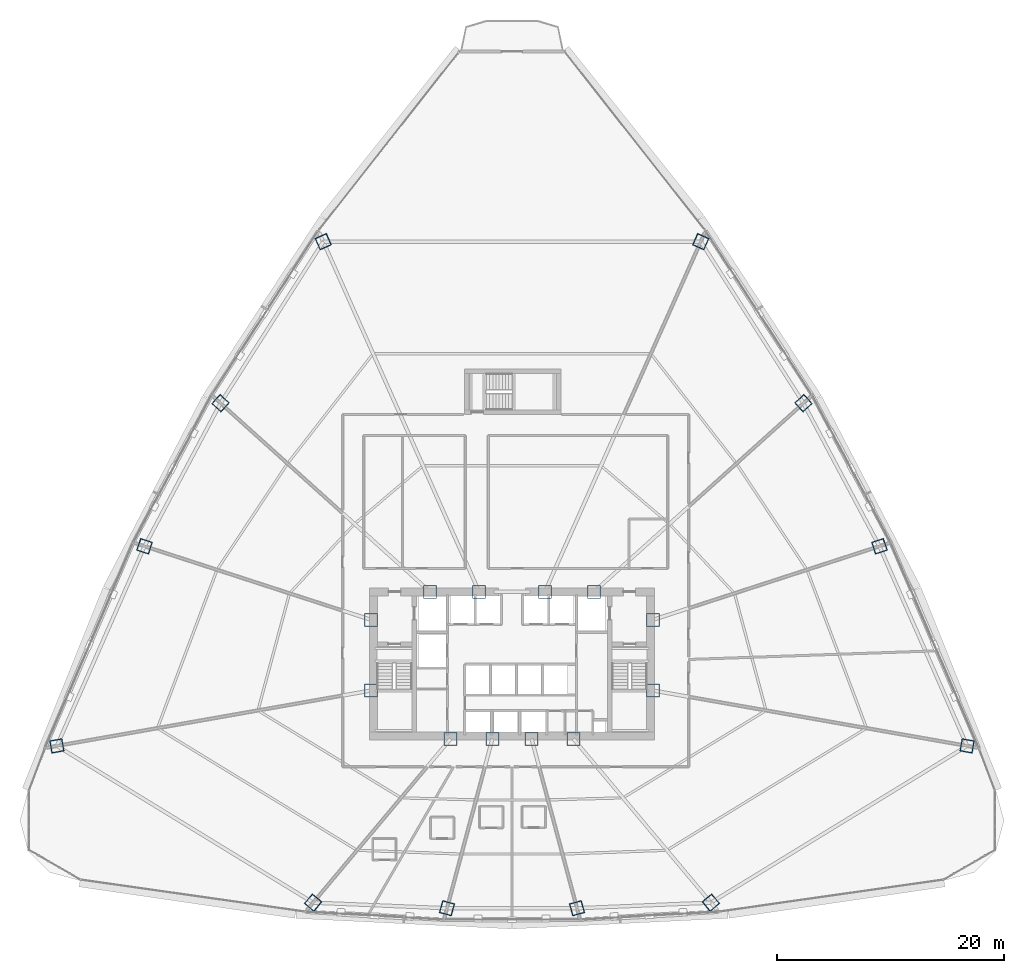
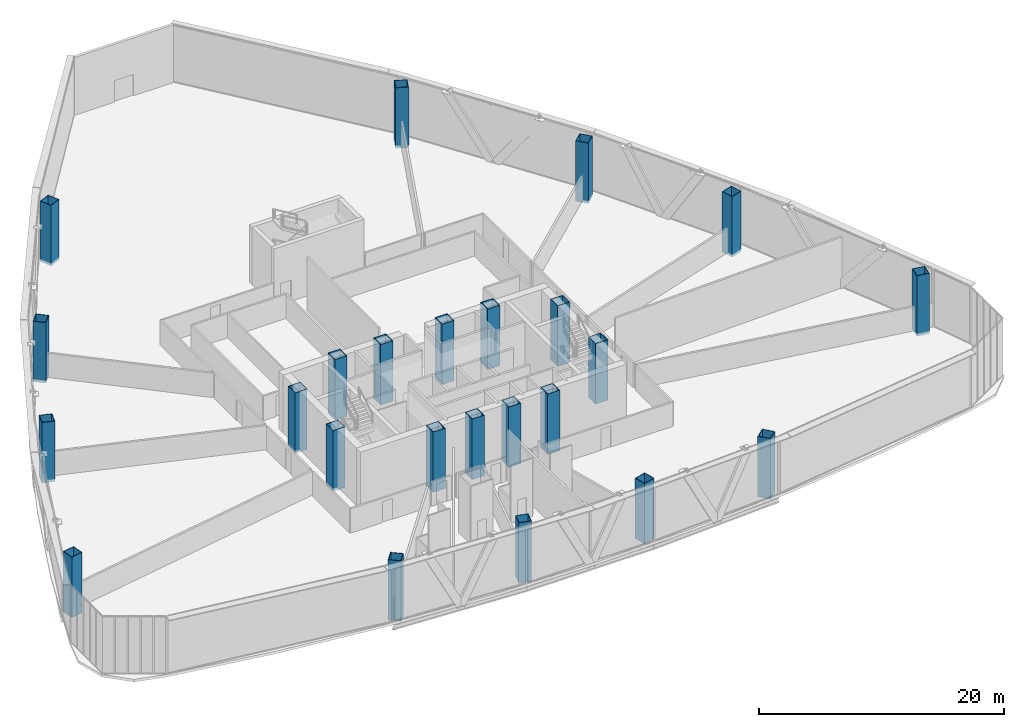
# One storey, part 1 of 41: 24 columns.
"""IFC4 building model written with IfcOpenShell, lengths in metres."""

import ifcopenshell
import ifcopenshell.guid

model = None  # the IFC model being written
_history = None  # IfcOwnerHistory: only IFC2X3 demands one
_inside = {}  # id of a spatial element -> (the spatial element, [elements in it])
_under = {}  # id of a project, library or spatial element -> (it, [spatial elements below it])
_declared = {}  # id of a project -> (the project, [libraries it declares])
_typed = {}  # id of a type object -> (the type object, [elements of that type])
_made_of = {}  # id of a material, layer set ... -> (it, [elements and type objects made of it])


def new_model(schema):
    """Start an empty IFC model of exactly this schema.

    Asked for "IFC4X3", IfcOpenShell would pick the latest addendum, in which some entities
    have other attributes; the version numbers below select the first issue.
    IFC2X3 requires an IfcOwnerHistory on every rooted entity: one is made here for all.
    """
    global model, _history
    if schema == "IFC4X3":
        model = ifcopenshell.file(schema_version=(4, 3, 0, 0))
    else:
        model = ifcopenshell.file(schema=schema)
    _inside.clear()
    _under.clear()
    _declared.clear()
    _typed.clear()
    _made_of.clear()
    _history = None
    if model.schema == "IFC2X3":
        org = make("IfcOrganization", Name="unknown")
        user = make(
            "IfcPersonAndOrganization",
            ThePerson=make("IfcPerson", FamilyName="unknown"),
            TheOrganization=org,
        )
        app = make(
            "IfcApplication",
            ApplicationDeveloper=org,
            Version="unknown",
            ApplicationFullName="unknown",
            ApplicationIdentifier="unknown",
        )
        _history = make(
            "IfcOwnerHistory",
            OwningUser=user,
            OwningApplication=app,
            ChangeAction="ADDED",
            CreationDate=0,
        )
    return model


def make(cls, **values):
    """One entity of the class cls with the attributes given. An attribute that is None is left unset."""
    return model.create_entity(
        cls, **{name: value for name, value in values.items() if value is not None}
    )


def rooted(cls, **values):
    """An entity with a GlobalId (a new one), such as an element, a storey or a relation."""
    return make(cls, GlobalId=ifcopenshell.guid.new(), OwnerHistory=_history, **values)


def si_unit(unit_type, name, prefix=None):
    """IfcSIUnit, for example si_unit("LENGTHUNIT", "METRE", prefix="MILLI")."""
    return make("IfcSIUnit", UnitType=unit_type, Prefix=prefix, Name=name)


def assignment(units):
    """IfcUnitAssignment: the units of a project."""
    return None if units is None else make("IfcUnitAssignment", Units=units)


def point(xyz):
    """IfcCartesianPoint."""
    return None if xyz is None else make("IfcCartesianPoint", Coordinates=xyz)


def direction(xyz):
    """IfcDirection."""
    return None if xyz is None else make("IfcDirection", DirectionRatios=xyz)


def frame(location, z_axis=None, x_axis=None):
    """IfcAxis2Placement3D, a coordinate frame: its origin and axes. An axis left out is left unset."""
    return make(
        "IfcAxis2Placement3D",
        Location=point(location),
        Axis=direction(z_axis),
        RefDirection=direction(x_axis),
    )


def frame_2d(location, x_axis=None):
    """IfcAxis2Placement2D, a coordinate frame in the plane: its origin and x axis."""
    return make(
        "IfcAxis2Placement2D", Location=point(location), RefDirection=direction(x_axis)
    )


def origin():
    """The frame at (0, 0, 0) with its axes left unset."""
    return frame((0.0, 0.0, 0.0))


def origin_2d():
    """The frame at (0, 0) in the plane with its x axis left unset."""
    return frame_2d((0.0, 0.0))


def place(relative_to, where):
    """IfcLocalPlacement: puts the frame where relative to a parent placement (None: the world)."""
    return make(
        "IfcLocalPlacement", PlacementRelTo=relative_to, RelativePlacement=where
    )


def context(
    kind, dimensions, precision=None, world=None, true_north=None, identifier=None
):
    """IfcGeometricRepresentationContext, for example the 3D "Model" context."""
    return make(
        "IfcGeometricRepresentationContext",
        ContextIdentifier=identifier,
        ContextType=kind,
        CoordinateSpaceDimension=dimensions,
        Precision=precision,
        WorldCoordinateSystem=world,
        TrueNorth=true_north,
    )


def subcontext(parent, identifier, kind, view, scale=None):
    """IfcGeometricRepresentationSubContext, for example "Body" below "Model"."""
    return make(
        "IfcGeometricRepresentationSubContext",
        ContextIdentifier=identifier,
        ContextType=kind,
        ParentContext=parent,
        TargetScale=scale,
        TargetView=view,
    )


def project(units=None, contexts=None):
    """IfcProject with its units and contexts."""
    return rooted(
        "IfcProject",
        Name="project",
        RepresentationContexts=contexts,
        UnitsInContext=assignment(units),
    )


def spatial(cls, under=None, at=None, **own):
    """A site, building, storey or space (cls), placed at a placement, below another one or the project."""
    s = rooted(cls, ObjectPlacement=at, **own)
    if under is not None:
        _under.setdefault(under.id(), (under, []))[1].append(s)
    return s


def profile(cls, at=None, kind="AREA", **sizes):
    """A parametric profile (cls). Its sizes go by their IFC names, for example OverallWidth=200.0."""
    return make(cls, ProfileType=kind, Position=at, **sizes)


def hollow_rectangle(**sizes):
    """IfcRectangleHollowProfileDef."""
    return profile("IfcRectangleHollowProfileDef", **sizes)


def extrude(swept, where, along, depth):
    """IfcExtrudedAreaSolid: the profile swept, set in the frame where, extruded along a direction by depth."""
    return make(
        "IfcExtrudedAreaSolid",
        SweptArea=swept,
        Position=where,
        ExtrudedDirection=direction(along),
        Depth=depth,
    )


def shape(context_of_items, identifier, shape_type, items):
    """IfcShapeRepresentation: the items that make up one representation, for example the "Body"."""
    return make(
        "IfcShapeRepresentation",
        ContextOfItems=context_of_items,
        RepresentationIdentifier=identifier,
        RepresentationType=shape_type,
        Items=items,
    )


def source(mapping_origin, context_of_items, identifier, shape_type, items):
    """IfcRepresentationMap: a shape defined once, which mapped items show again and again."""
    return make(
        "IfcRepresentationMap",
        MappingOrigin=mapping_origin,
        MappedRepresentation=shape(context_of_items, identifier, shape_type, items),
    )


def transform(
    local_origin,
    x_axis=None,
    y_axis=None,
    z_axis=None,
    scale=None,
    scale2=None,
    scale3=None,
    uniform=True,
):
    """IfcCartesianTransformationOperator3D, or its non-uniform kind. x_axis, y_axis, z_axis: its Axis1, 2, 3."""
    if uniform:
        return make(
            "IfcCartesianTransformationOperator3D",
            Axis1=direction(x_axis),
            Axis2=direction(y_axis),
            LocalOrigin=point(local_origin),
            Scale=scale,
            Axis3=direction(z_axis),
        )
    return make(
        "IfcCartesianTransformationOperator3DnonUniform",
        Axis1=direction(x_axis),
        Axis2=direction(y_axis),
        LocalOrigin=point(local_origin),
        Scale=scale,
        Axis3=direction(z_axis),
        Scale2=scale2,
        Scale3=scale3,
    )


def mapped(mapping_source, mapping_target):
    """IfcMappedItem: shows the shape of a source again, moved by a transform."""
    return make(
        "IfcMappedItem", MappingSource=mapping_source, MappingTarget=mapping_target
    )


def material(Name=None, Category=None):
    """IfcMaterial."""
    return make("IfcMaterial", Name=Name, Category=Category)


def material_profile(
    of_material, cross_section, Name=None, Category=None, Priority=None
):
    """IfcMaterialProfile: a cross section and its material."""
    return make(
        "IfcMaterialProfile",
        Name=Name,
        Material=of_material,
        Profile=cross_section,
        Priority=Priority,
        Category=Category,
    )


def profile_set(profiles, Name=None, composite=None):
    """IfcMaterialProfileSet."""
    return make(
        "IfcMaterialProfileSet",
        Name=Name,
        MaterialProfiles=profiles,
        CompositeProfile=composite,
    )


def made_of(thing, what):
    """Note that an element or type object is made of a material, layer set ...; save() writes the relation."""
    if what is not None:
        _made_of.setdefault(what.id(), (what, []))[1].append(thing)
    return thing


def type_object(cls, material=None, **own):
    """A type object (cls), such as IfcWallType, which elements share."""
    return made_of(rooted(cls, **own), material)


def element(
    cls,
    number,
    at=None,
    inside=None,
    cuts=None,
    type_object=None,
    material=None,
    context=None,
    identifier="Body",
    shape_type=None,
    held_by="IfcProductDefinitionShape",
    body=None,
    shapes=None,
    **own,
):
    """One element of the class cls, such as IfcWall. Its Tag is "e" and its number.

    at: its placement. inside: the storey or other place that contains it. cuts: it is an
    opening in that element (IfcRelVoidsElement). A single representation is given by context,
    identifier, shape_type and body (its items); several are given by shapes. held_by: the class
    of the entity that holds the representations. save() writes the other relations.
    """
    e = rooted(cls, Tag="e%d" % number, ObjectPlacement=at, **own)
    if body is not None:
        shapes = [shape(context, identifier, shape_type, body)]
    if shapes is not None:
        e.Representation = make(held_by, Representations=shapes)
    if inside is not None:
        _inside.setdefault(inside.id(), (inside, []))[1].append(e)
    if cuts is not None:
        rooted(
            "IfcRelVoidsElement", RelatingBuildingElement=cuts, RelatedOpeningElement=e
        )
    if type_object is not None:
        _typed.setdefault(type_object.id(), (type_object, []))[1].append(e)
    return made_of(e, material)


def aggregate(whole, parts):
    """IfcRelAggregates: a whole, such as a stair, and the parts it consists of."""
    return rooted("IfcRelAggregates", RelatingObject=whole, RelatedObjects=parts)


def save(model, path):
    """Write the relations noted so far, then the file.

    IfcRelAggregates (storeys below a building ...), IfcRelContainedInSpatialStructure (elements
    in a storey), IfcRelDefinesByType, IfcRelAssociatesMaterial and IfcRelDeclares: one each for
    every whole, place, type object, material and project.
    """
    for whole, parts in _under.values():
        aggregate(whole, parts)
    for where, things in _inside.values():
        rooted(
            "IfcRelContainedInSpatialStructure",
            RelatedElements=things,
            RelatingStructure=where,
        )
    for kind, things in _typed.values():
        rooted("IfcRelDefinesByType", RelatedObjects=things, RelatingType=kind)
    for what, things in _made_of.values():
        rooted("IfcRelAssociatesMaterial", RelatedObjects=things, RelatingMaterial=what)
    for by, libraries in _declared.values():
        rooted("IfcRelDeclares", RelatingContext=by, RelatedDefinitions=libraries)
    model.write(path)


model = new_model("IFC4")

# Units and contexts
model_context = context("Model", 3, precision=1e-05, world=origin(), true_north=direction((0.0, 1.0)))
body_context = subcontext(model_context, "Body", "Model", "MODEL_VIEW")
ifc_project = project(units=[si_unit("LENGTHUNIT", "METRE"), si_unit("AREAUNIT", "SQUARE_METRE"), si_unit("VOLUMEUNIT", "CUBIC_METRE"), si_unit("PLANEANGLEUNIT", "RADIAN"), si_unit("MASSUNIT", "GRAM", prefix="KILO"), si_unit("THERMODYNAMICTEMPERATUREUNIT", "KELVIN"), si_unit("POWERUNIT", "WATT")], contexts=[model_context])

# Site, building, storey
site_placement = place(None, origin())
site = spatial("IfcSite", under=ifc_project, at=site_placement, CompositionType="ELEMENT")
building_placement = place(site_placement, origin())
building = spatial("IfcBuilding", under=site, at=building_placement, Name="Yunzhuo Pagoda Commons", CompositionType="ELEMENT")
storey_placement = place(building_placement, frame((0.0, 0.0, 70.330078125)))
storey = spatial("IfcBuildingStorey", under=building, at=storey_placement, Name="L18", CompositionType="ELEMENT", Elevation=70.330078125)

# Columns
ifc_material = material(Name="Structural steel Q420B", Category="steel")
ifc_material_profile_1 = material_profile(ifc_material, hollow_rectangle(XDim=1.14990234375, YDim=1.14990234375, WallThickness=0.048095703125, at=origin_2d()), Name="Structural steel Q420B")
ifc_profile_set_1 = profile_set([ifc_material_profile_1], Name="Structural steel Q420B")
column_type_1 = type_object("IfcColumnType", Name="C-COR Column BOX 1150x1150x48", PredefinedType="COLUMN", material=ifc_profile_set_1)
shared_shape_1 = source(origin(), body_context, "Body", "SweptSolid", [
    extrude(hollow_rectangle(XDim=1.14990234375, YDim=1.14990234375, WallThickness=0.048095703125, at=origin_2d()), origin(), (0.0, 0.0, 1.0), 6.030029296875),
])
for number, where, z_axis, x_axis, name in (
    (1, (42.587890625, 27.25, -0.260009765625), (0.0, 0.0, 1.0), (1.0, 0.0, 0.0), "L18 core composite column F1C1"),
    (2, (46.27197265625, 27.25, -0.260009765625), (0.0, 0.0, 1.0), (1.0, 0.0, 0.0), "L18 core composite column F1C2"),
    (3, (49.728515625, 27.25, -0.260009765625), (0.0, 0.0, 1.0), (1.0, 0.0, 0.0), "L18 core composite column F1C3"),
    (4, (53.412109375, 27.25, -0.260009765625), (0.0, 0.0, 1.0), (1.0, 0.0, 0.0), "L18 core composite column F1C4"),
    (5, (60.39990234375, 31.513427734375, -0.260009765625), (0.0, 0.0, 1.0), (1.0, 0.0, 0.0), "L18 core composite column F2C1"),
    (6, (60.39990234375, 37.72900390625, -0.260009765625), (0.0, 0.0, 1.0), (1.0, 0.0, 0.0), "L18 core composite column F2C2"),
    (7, (55.218994140625, 40.199951171875, -0.260009765625), (0.0, 0.0, 1.0), (1.0, 0.0, 0.0), "L18 core composite column F2C3"),
    (8, (50.89404296875, 40.199951171875, -0.260009765625), (0.0, 0.0, 1.0), (1.0, 0.0, 0.0), "L18 core composite column F2C4"),
    (9, (45.10595703125, 40.199951171875, -0.260009765625), (0.0, 0.0, 1.0), (1.0, 0.0, 0.0), "L18 core composite column F3C1"),
    (10, (40.781005859375, 40.199951171875, -0.260009765625), (0.0, 0.0, 1.0), (1.0, 0.0, 0.0), "L18 core composite column F3C2"),
    (11, (35.60009765625, 37.72900390625, -0.260009765625), (0.0, 0.0, 1.0), (1.0, 0.0, 0.0), "L18 core composite column F3C3"),
    (12, (35.60009765625, 31.513427734375, -0.260009765625), (0.0, 0.0, 1.0), (1.0, 0.0, 0.0), "L18 core composite column F3C4"),
):
    element("IfcColumn", number, at=place(storey_placement, frame(where, z_axis=z_axis, x_axis=x_axis)), inside=storey, type_object=column_type_1, Name=name, PredefinedType="COLUMN", context=body_context, shape_type="MappedRepresentation", body=[
        mapped(shared_shape_1, transform((0.0, 0.0, 0.0), scale=1.0)),
    ])
ifc_material_profile_2 = material_profile(ifc_material, hollow_rectangle(XDim=1.10009765625, YDim=1.10009765625, WallThickness=0.044921875, at=origin_2d()), Name="Structural steel Q420B")
ifc_profile_set_2 = profile_set([ifc_material_profile_2], Name="Structural steel Q420B")
column_type_2 = type_object("IfcColumnType", Name="C-Z1 Column BOX 1100x1100x45", PredefinedType="COLUMN", material=ifc_profile_set_2)
shared_shape_2 = source(origin(), body_context, "Body", "SweptSolid", [
    extrude(hollow_rectangle(XDim=1.10009765625, YDim=1.10009765625, WallThickness=0.044921875, at=origin_2d()), origin(), (0.0, 0.0, 1.0), 6.030029296875),
])
for number, where, z_axis, x_axis, name in (
    (13, (30.5, 12.844482421875, -0.260009765625), (0.0, 0.0, 1.0), (0.766044443119, -0.642787609687, 0.0), "L18 tower column F1C1"),
    (14, (42.27978515625, 12.35205078125, -0.260009765625), (0.0, 0.0, 1.0), (0.965925826289, -0.258819045103, 0.0), "L18 tower column F1C2"),
    (15, (53.72021484375, 12.35205078125, -0.260009765625), (0.0, 0.0, 1.0), (0.965925826289, 0.258819045103, 0.0), "L18 tower column F1C3"),
    (16, (65.5, 12.844482421875, -0.260009765625), (0.0, 0.0, 1.0), (0.766044443119, 0.642787609687, 0.0), "L18 tower column F1C4"),
    (17, (88.047607421875, 26.638427734375, -0.260009765625), (0.0, 0.0, 1.0), (0.173648177667, 0.984807753012, 0.0), "L18 tower column F2C1"),
    (18, (80.33544921875, 44.206298828125, -0.260009765625), (0.0, 0.0, 1.0), (-0.309016994375, 0.951056516295, 0.0), "L18 tower column F2C2"),
    (19, (73.648681640625, 56.79443359375, -0.260009765625), (0.0, 0.0, 1.0), (-0.669130606359, 0.743144825477, 0.0), "L18 tower column F2C3"),
    (20, (64.61083984375, 71.008544921875, -0.260009765625), (0.0, 0.0, 1.0), (-0.913545457643, 0.406736643076, 0.0), "L18 tower column F2C4"),
    (21, (31.38916015625, 71.008544921875, -0.260009765625), (0.0, 0.0, 1.0), (-0.913545457643, -0.406736643076, 0.0), "L18 tower column F3C1"),
    (22, (22.351318359375, 56.79443359375, -0.260009765625), (0.0, 0.0, 1.0), (-0.669130606359, -0.743144825477, 0.0), "L18 tower column F3C2"),
    (23, (15.66455078125, 44.206298828125, -0.260009765625), (0.0, 0.0, 1.0), (-0.309016994375, -0.951056516295, 0.0), "L18 tower column F3C3"),
    (24, (7.952392578125, 26.638427734375, -0.260009765625), (0.0, 0.0, 1.0), (0.173648177667, -0.984807753012, 0.0), "L18 tower column F3C4"),
):
    element("IfcColumn", number, at=place(storey_placement, frame(where, z_axis=z_axis, x_axis=x_axis)), inside=storey, type_object=column_type_2, Name=name, PredefinedType="COLUMN", context=body_context, shape_type="MappedRepresentation", body=[
        mapped(shared_shape_2, transform((0.0, 0.0, 0.0), scale=1.0)),
    ])

save(model, "model.ifc")
